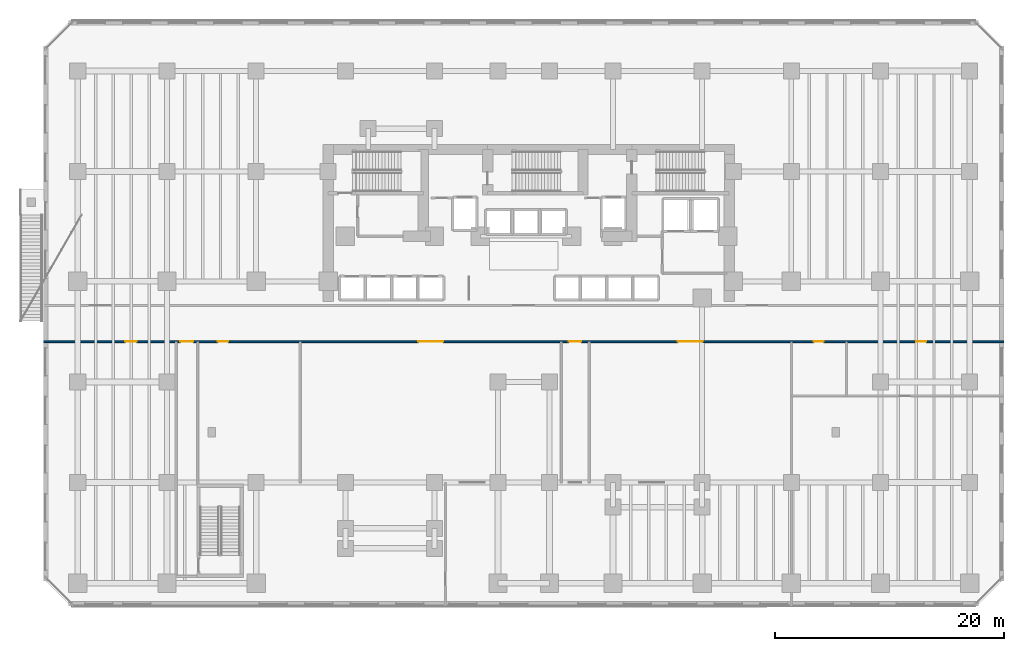
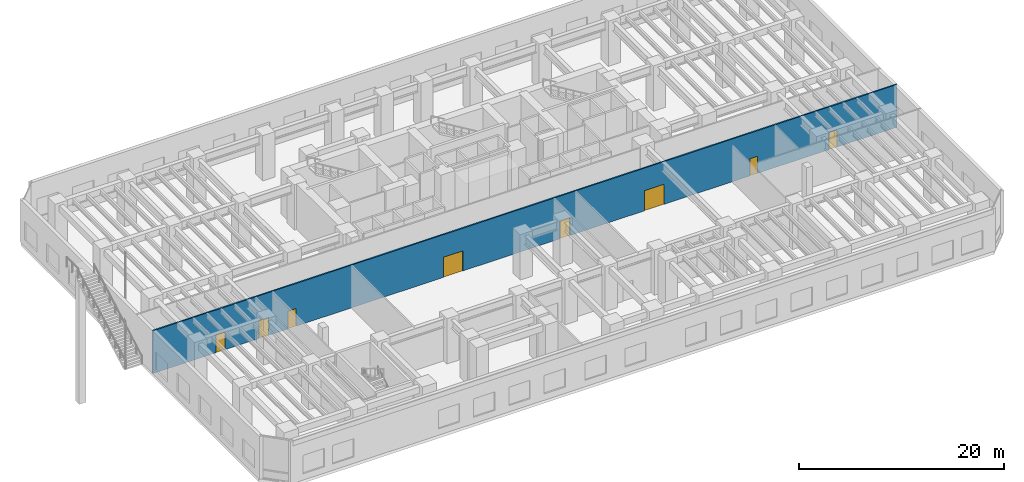
# One storey, part 12 of 21: 8 doors, 1 wall, 8 openings.
"""IFC4 building model written with IfcOpenShell, lengths in metres."""

from ifc_helpers import new_model, si_unit, direction, frame, frame_2d, origin, place, context, subcontext, project, spatial, rectangle, extrude, material, layer, layer_set, type_object, element, fill, save


model = new_model("IFC4")

# Units and contexts
model_context = context("Model", 3, precision=1e-05, world=origin(), true_north=direction((0.0, 1.0)))
body_context = subcontext(model_context, "Body", "Model", "MODEL_VIEW")
ifc_project = project(units=[si_unit("LENGTHUNIT", "METRE"), si_unit("AREAUNIT", "SQUARE_METRE"), si_unit("VOLUMEUNIT", "CUBIC_METRE"), si_unit("PLANEANGLEUNIT", "RADIAN"), si_unit("MASSUNIT", "GRAM", prefix="KILO")], contexts=[model_context])

# Site, building, storey
site_placement = place(None, origin())
site = spatial("IfcSite", under=ifc_project, at=site_placement, CompositionType="ELEMENT")
building_placement = place(site_placement, origin())
building = spatial("IfcBuilding", under=site, at=building_placement, Name="Kestravale Grand Hotel", CompositionType="ELEMENT")
storey_placement = place(building_placement, frame((0.0, 0.0, 10.39990234375)))
storey = spatial("IfcBuildingStorey", under=building, at=storey_placement, Name="L02", CompositionType="ELEMENT", Elevation=10.39990234375)

# Wall, openings, doors
ifc_material_1 = material(Name="Acoustic fire-rated gypsum board partition", Category="other")
ifc_layer = layer(ifc_material_1, 0.159912109375)
ifc_layer_set = layer_set([ifc_layer], Name="IW-CORR-160")
wall_type = type_object("IfcWallType", Name="IW-CORR-160", PredefinedType="PARTITIONING", material=ifc_layer_set)
wall_placement = place(storey_placement, frame((-2.97998046875, 23.52001953125, 0.0), z_axis=(0.0, 0.0, 1.0), x_axis=(1.0, 0.0, 0.0)))
wall = element("IfcWall", 1, at=wall_placement, inside=storey, type_object=wall_type, Name="W-L02-MC-S", PredefinedType="PARTITIONING", context=body_context, shape_type="SweptSolid", body=[
    extrude(rectangle(XDim=83.9599609375, YDim=0.159912109375, at=frame_2d((41.97998046875, 0.0))), origin(), (0.0, 0.0, 1.0), 5.10009765625),
])
opening_1_placement = place(wall_placement, frame((7.1298828125, 0.0, 0.0)))
opening_1 = element("IfcOpeningElement", 2, at=opening_1_placement, cuts=wall, Name="Opening D-GUEST-1000", PredefinedType="OPENING", context=body_context, shape_type="SweptSolid", body=[
    extrude(rectangle(XDim=1.0, YDim=2.14990234375, at=frame_2d((0.5, 1.074951171875))), frame((0.0, 0.08984375, 0.0), z_axis=(0.0, -1.0, 0.0), x_axis=(1.0, 0.0, 0.0)), (0.0, 0.0, 1.0), 0.179931640625),
])
opening_2_placement = place(wall_placement, frame((11.9599609375, 0.0, 0.0)))
opening_2 = element("IfcOpeningElement", 3, at=opening_2_placement, cuts=wall, Name="Opening D-CORR-1100", PredefinedType="OPENING", context=body_context, shape_type="SweptSolid", body=[
    extrude(rectangle(XDim=1.10009765625, YDim=2.14990234375, at=frame_2d((0.550048828125, 1.074951171875))), frame((0.0, 0.08984375, 0.0), z_axis=(0.0, -1.0, 0.0), x_axis=(1.0, 0.0, 0.0)), (0.0, 0.0, 1.0), 0.179931640625),
])
opening_3_placement = place(wall_placement, frame((45.929931640625, 0.0, 0.0)))
opening_3 = element("IfcOpeningElement", 4, at=opening_3_placement, cuts=wall, Name="Opening D-CORR-1100", PredefinedType="OPENING", context=body_context, shape_type="SweptSolid", body=[
    extrude(rectangle(XDim=1.10009765625, YDim=2.14990234375, at=frame_2d((0.550048828125, 1.074951171875))), frame((0.0, 0.08984375, 0.0), z_axis=(0.0, -1.0, 0.0), x_axis=(1.0, 0.0, 0.0)), (0.0, 0.0, 1.0), 0.179931640625),
])
opening_4_placement = place(wall_placement, frame((15.205078125, 0.0, 0.0)))
opening_4 = element("IfcOpeningElement", 5, at=opening_4_placement, cuts=wall, Name="Opening D-GUEST-950", PredefinedType="OPENING", context=body_context, shape_type="SweptSolid", body=[
    extrude(rectangle(XDim=0.949951171875, YDim=2.10009765625, at=frame_2d((0.47509765625, 1.050048828125))), frame((0.0, 0.08984375, 0.0), z_axis=(0.0, -1.0, 0.0), x_axis=(1.0, 0.0, 0.0)), (0.0, 0.0, 1.0), 0.179931640625),
])
opening_5_placement = place(wall_placement, frame((32.7548828125, 0.0, 0.0)))
opening_5 = element("IfcOpeningElement", 6, at=opening_5_placement, cuts=wall, Name="Opening D-BAL-2200", PredefinedType="OPENING", context=body_context, shape_type="SweptSolid", body=[
    extrude(rectangle(XDim=2.199951171875, YDim=2.39990234375, at=frame_2d((1.10009765625, 1.199951171875))), frame((0.0, 0.08984375, 0.0), z_axis=(0.0, -1.0, 0.0), x_axis=(1.0, 0.0, 0.0)), (0.0, 0.0, 1.0), 0.179931640625),
])
opening_6_placement = place(wall_placement, frame((55.455078125, 0.0, 0.0)))
opening_6 = element("IfcOpeningElement", 7, at=opening_6_placement, cuts=wall, Name="Opening D-BAL-2200", PredefinedType="OPENING", context=body_context, shape_type="SweptSolid", body=[
    extrude(rectangle(XDim=2.199951171875, YDim=2.39990234375, at=frame_2d((1.10009765625, 1.199951171875))), frame((0.0, 0.08984375, 0.0), z_axis=(0.0, -1.0, 0.0), x_axis=(1.0, 0.0, 0.0)), (0.0, 0.0, 1.0), 0.179931640625),
])
opening_7_placement = place(wall_placement, frame((67.340087890625, 0.0, 0.0)))
opening_7 = element("IfcOpeningElement", 8, at=opening_7_placement, cuts=wall, Name="Opening D-BATH-880", PredefinedType="OPENING", context=body_context, shape_type="SweptSolid", body=[
    extrude(rectangle(XDim=0.8798828125, YDim=2.050048828125, at=frame_2d((0.43994140625, 1.02490234375))), frame((0.0, 0.08984375, 0.0), z_axis=(0.0, -1.0, 0.0), x_axis=(1.0, 0.0, 0.0)), (0.0, 0.0, 1.0), 0.179931640625),
])
opening_8_placement = place(wall_placement, frame((76.2900390625, 0.0, 0.0)))
opening_8 = element("IfcOpeningElement", 9, at=opening_8_placement, cuts=wall, Name="Opening D-BATH-880", PredefinedType="OPENING", context=body_context, shape_type="SweptSolid", body=[
    extrude(rectangle(XDim=0.8798828125, YDim=2.050048828125, at=frame_2d((0.43994140625, 1.02490234375))), frame((0.0, 0.08984375, 0.0), z_axis=(0.0, -1.0, 0.0), x_axis=(1.0, 0.0, 0.0)), (0.0, 0.0, 1.0), 0.179931640625),
])
ifc_material_2 = material(Name="Monumental walnut and bronze ballroom double fire door", Category="wood")
door_type_1 = type_object("IfcDoorType", Name="D-BAL-2200", OperationType="NOTDEFINED", PredefinedType="DOOR", material=ifc_material_2)
door_1_placement = place(opening_5_placement, origin())
door_1 = element("IfcDoor", 10, at=door_1_placement, inside=storey, type_object=door_type_1, Name="D-L02-GBALL", OperationType="DOUBLE_DOOR_SINGLE_SWING", OverallHeight=2.39990234375, OverallWidth=2.199951171875, PredefinedType="DOOR", context=body_context, shape_type="SweptSolid", body=[
    extrude(rectangle(XDim=2.199951171875, YDim=2.39990234375, at=frame_2d((1.10009765625, 1.199951171875))), frame((0.0, 0.02490234375, 0.0), z_axis=(0.0, -1.0, 0.0), x_axis=(1.0, 0.0, 0.0)), (0.0, 0.0, 1.0), 0.050048828125),
])
fill(opening_5, door_1)
door_2_placement = place(opening_6_placement, origin())
door_2 = element("IfcDoor", 11, at=door_2_placement, inside=storey, type_object=door_type_1, Name="D-L02-JBALL", OperationType="DOUBLE_DOOR_SINGLE_SWING", OverallHeight=2.39990234375, OverallWidth=2.199951171875, PredefinedType="DOOR", context=body_context, shape_type="SweptSolid", body=[
    extrude(rectangle(XDim=2.199951171875, YDim=2.39990234375, at=frame_2d((1.10009765625, 1.199951171875))), frame((0.0, 0.02490234375, 0.0), z_axis=(0.0, -1.0, 0.0), x_axis=(1.0, 0.0, 0.0)), (0.0, 0.0, 1.0), 0.050048828125),
])
fill(opening_6, door_2)
ifc_material_3 = material(Name="Moisture-sealed walnut en-suite bathroom door", Category="wood")
door_type_2 = type_object("IfcDoorType", Name="D-BATH-880", OperationType="NOTDEFINED", PredefinedType="DOOR", material=ifc_material_3)
door_3_placement = place(opening_7_placement, origin())
door_3 = element("IfcDoor", 12, at=door_3_placement, inside=storey, type_object=door_type_2, Name="D-L02-WCA", OperationType="SINGLE_SWING_LEFT", OverallHeight=2.050048828125, OverallWidth=0.8798828125, PredefinedType="DOOR", context=body_context, shape_type="SweptSolid", body=[
    extrude(rectangle(XDim=0.8798828125, YDim=2.050048828125, at=frame_2d((0.43994140625, 1.02490234375))), frame((0.0, 0.02490234375, 0.0), z_axis=(0.0, -1.0, 0.0), x_axis=(1.0, 0.0, 0.0)), (0.0, 0.0, 1.0), 0.050048828125),
])
fill(opening_7, door_3)
door_4_placement = place(opening_8_placement, origin())
door_4 = element("IfcDoor", 13, at=door_4_placement, inside=storey, type_object=door_type_2, Name="D-L02-WCM", OperationType="SINGLE_SWING_RIGHT", OverallHeight=2.050048828125, OverallWidth=0.8798828125, PredefinedType="DOOR", context=body_context, shape_type="SweptSolid", body=[
    extrude(rectangle(XDim=0.8798828125, YDim=2.050048828125, at=frame_2d((0.43994140625, 1.02490234375))), frame((0.0, 0.02490234375, 0.0), z_axis=(0.0, -1.0, 0.0), x_axis=(1.0, 0.0, 0.0)), (0.0, 0.0, 1.0), 0.050048828125),
])
fill(opening_8, door_4)
ifc_material_4 = material(Name="Single-leaf service vestibule fire door", Category="steel")
door_type_3 = type_object("IfcDoorType", Name="D-CORR-1100", OperationType="NOTDEFINED", PredefinedType="DOOR", material=ifc_material_4)
door_5_placement = place(opening_2_placement, origin())
door_5 = element("IfcDoor", 14, at=door_5_placement, inside=storey, type_object=door_type_3, Name="L02 ST-4 Corridor Door", OperationType="SINGLE_SWING_RIGHT", OverallHeight=2.14990234375, OverallWidth=1.10009765625, PredefinedType="DOOR", context=body_context, shape_type="SweptSolid", body=[
    extrude(rectangle(XDim=1.10009765625, YDim=2.14990234375, at=frame_2d((0.550048828125, 1.074951171875))), frame((0.0, 0.02490234375, 0.0), z_axis=(0.0, -1.0, 0.0), x_axis=(1.0, 0.0, 0.0)), (0.0, 0.0, 1.0), 0.050048828125),
])
fill(opening_2, door_5)
door_6_placement = place(opening_3_placement, origin())
door_6 = element("IfcDoor", 15, at=door_6_placement, inside=storey, type_object=door_type_3, Name="L02 South Gallery Corridor North Door", OperationType="SINGLE_SWING_RIGHT", OverallHeight=2.14990234375, OverallWidth=1.10009765625, PredefinedType="DOOR", context=body_context, shape_type="SweptSolid", body=[
    extrude(rectangle(XDim=1.10009765625, YDim=2.14990234375, at=frame_2d((0.550048828125, 1.074951171875))), frame((0.0, 0.02490234375, 0.0), z_axis=(0.0, -1.0, 0.0), x_axis=(1.0, 0.0, 0.0)), (0.0, 0.0, 1.0), 0.050048828125),
])
fill(opening_3, door_6)
ifc_material_5 = material(Name="Accessible walnut veneer hotel entrance fire door", Category="wood")
door_type_4 = type_object("IfcDoorType", Name="D-GUEST-1000", OperationType="NOTDEFINED", PredefinedType="DOOR", material=ifc_material_5)
door_7_placement = place(opening_1_placement, origin())
door_7 = element("IfcDoor", 16, at=door_7_placement, inside=storey, type_object=door_type_4, Name="D-L02-WSAL", OperationType="SINGLE_SWING_LEFT", OverallHeight=2.14990234375, OverallWidth=1.0, PredefinedType="DOOR", context=body_context, shape_type="SweptSolid", body=[
    extrude(rectangle(XDim=1.0, YDim=2.14990234375, at=frame_2d((0.5, 1.074951171875))), frame((0.0, 0.02490234375, 0.0), z_axis=(0.0, -1.0, 0.0), x_axis=(1.0, 0.0, 0.0)), (0.0, 0.0, 1.0), 0.050048828125),
])
fill(opening_1, door_7)
ifc_material_6 = material(Name="Walnut veneer hotel guestroom entrance fire door", Category="wood")
door_type_5 = type_object("IfcDoorType", Name="D-GUEST-950", OperationType="NOTDEFINED", PredefinedType="DOOR", material=ifc_material_6)
door_8_placement = place(opening_4_placement, origin())
door_8 = element("IfcDoor", 17, at=door_8_placement, inside=storey, type_object=door_type_5, Name="D-L02-MTGW", OperationType="SINGLE_SWING_RIGHT", OverallHeight=2.10009765625, OverallWidth=0.949951171875, PredefinedType="DOOR", context=body_context, shape_type="SweptSolid", body=[
    extrude(rectangle(XDim=0.949951171875, YDim=2.10009765625, at=frame_2d((0.47509765625, 1.050048828125))), frame((0.0, 0.02490234375, 0.0), z_axis=(0.0, -1.0, 0.0), x_axis=(1.0, 0.0, 0.0)), (0.0, 0.0, 1.0), 0.050048828125),
])
fill(opening_4, door_8)

save(model, "model.ifc")
